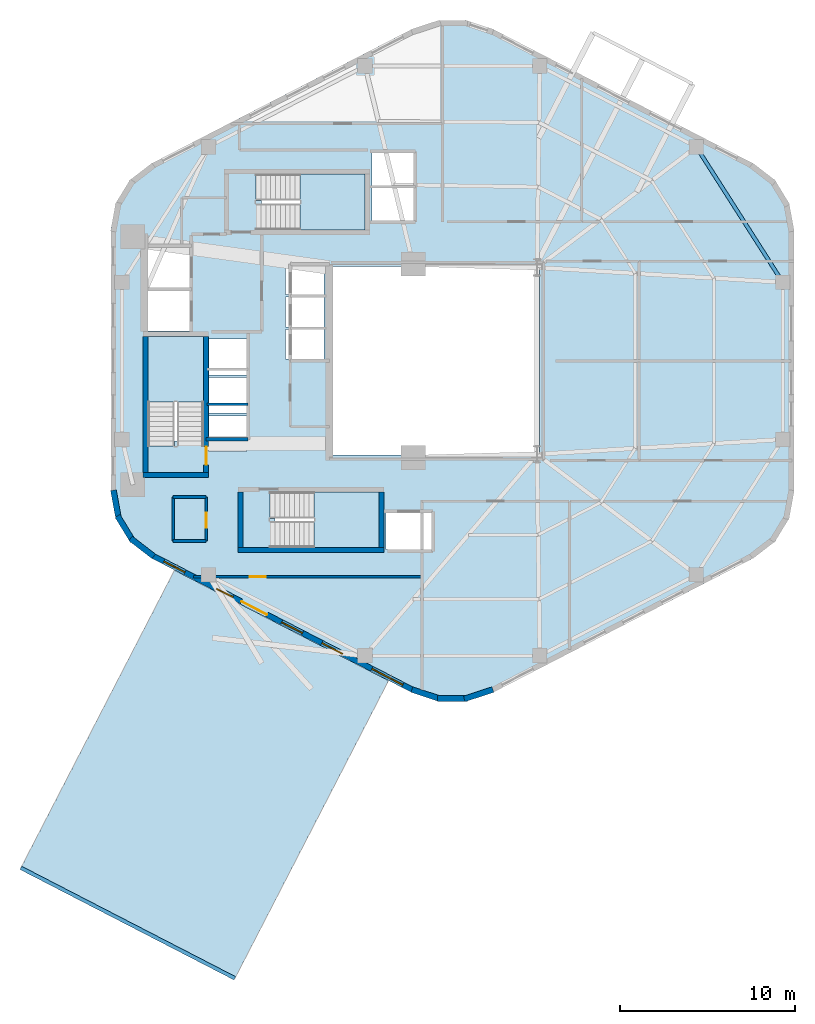
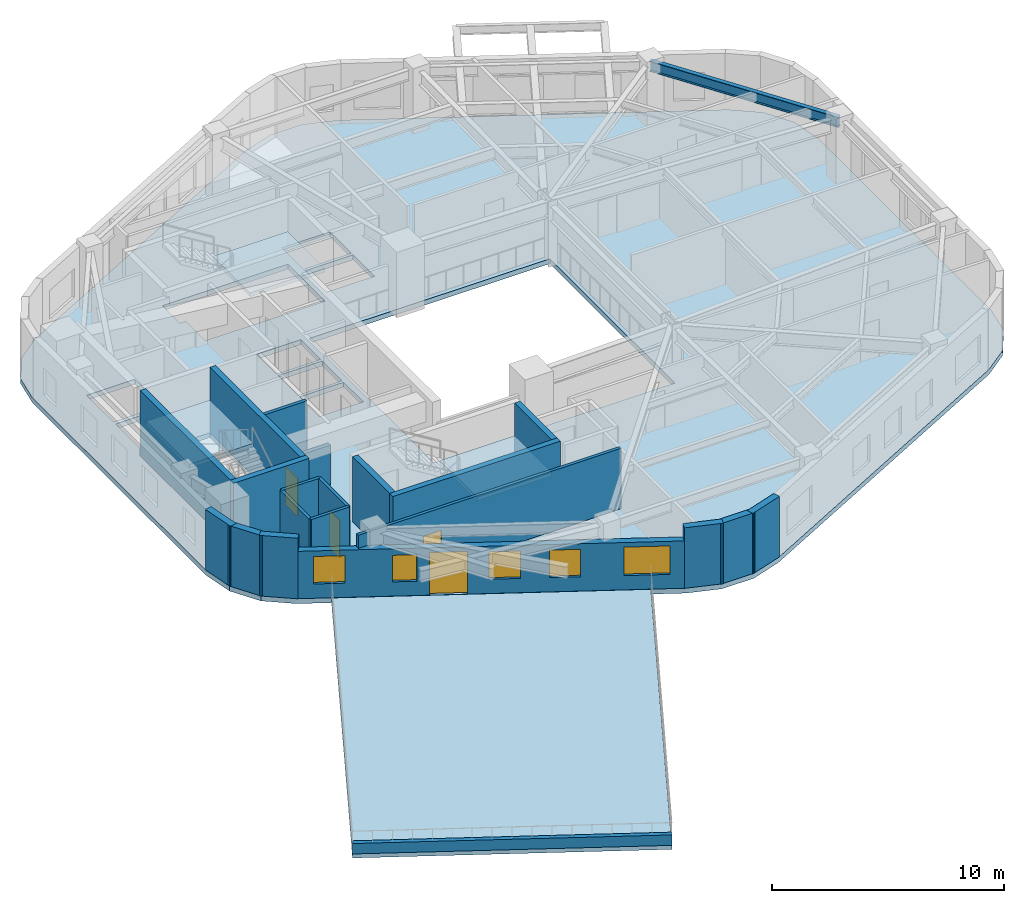
# One storey, part 2 of 7: 21 walls, 5 slabs, 5 windows, 4 doors, 1 beam, 9 openings, 4 elements without a shape of their own.
"""IFC4 building model written with IfcOpenShell, lengths in metres."""

from ifc_helpers import new_model, si_unit, direction, frame, frame_2d, origin, origin_2d, place, context, subcontext, project, spatial, polyline, rectangle, i_section, outline, extrude, material, layer, layer_set, material_profile, profile_set, type_object, element, fill, aggregate, save


model = new_model("IFC4")

# Units and contexts
model_context = context("Model", 3, precision=1e-05, world=origin(), true_north=direction((0.0, 1.0)))
body_context = subcontext(model_context, "Body", "Model", "MODEL_VIEW")
ifc_project = project(units=[si_unit("LENGTHUNIT", "METRE"), si_unit("AREAUNIT", "SQUARE_METRE"), si_unit("VOLUMEUNIT", "CUBIC_METRE"), si_unit("PLANEANGLEUNIT", "RADIAN"), si_unit("MASSUNIT", "GRAM", prefix="KILO"), si_unit("THERMODYNAMICTEMPERATUREUNIT", "KELVIN"), si_unit("POWERUNIT", "WATT")], contexts=[model_context])

# Site, building, storey
site_placement = place(None, origin())
site = spatial("IfcSite", under=ifc_project, at=site_placement, CompositionType="ELEMENT")
building_placement = place(site_placement, origin())
building = spatial("IfcBuilding", under=site, at=building_placement, Name="Skarre Station Tower", CompositionType="ELEMENT")
storey_placement = place(building_placement, frame((0.0, 0.0, 184.35009765625)))
storey = spatial("IfcBuildingStorey", under=building, at=storey_placement, Name="L50", CompositionType="ELEMENT", Elevation=184.35009765625)

# Beam
ifc_material_1 = material(Name="Steel ASTM A992 Grade 50", Category="steel")
ifc_material_profile = material_profile(ifc_material_1, i_section(OverallWidth=0.214111328125, OverallDepth=0.549072265625, WebThickness=0.014892578125, FlangeThickness=0.02392578125, at=origin_2d()), Name="Steel ASTM A992 Grade 50")
ifc_profile_set = profile_set([ifc_material_profile], Name="Steel ASTM A992 Grade 50")
beam_type = type_object("IfcBeamType", Name="Steel Spandrel W21X93", PredefinedType="SPANDREL", material=ifc_profile_set)
beam_placement = place(storey_placement, frame((53.52197265625, 28.5009765625, 2.916015625), z_axis=(-0.537826426158, 0.843055594445, 0.0), x_axis=(-0.843055594445, -0.537826426158, 0.0)))
element("IfcBeam", 1, at=beam_placement, inside=storey, type_object=beam_type, Name="L50 Facet Spandrel Beam 12", PredefinedType="SPANDREL", context=body_context, shape_type="SweptSolid", body=[
    extrude(i_section(OverallWidth=0.214111328125, OverallDepth=0.549072265625, WebThickness=0.014892578125, FlangeThickness=0.02392578125, at=origin_2d()), origin(), (0.0, 0.0, 1.0), 9.199951171875),
])

# Roof, slab
ifc_material_2 = material(Name="Precast concrete C40/50", Category="concrete")
ifc_layer_1 = layer(ifc_material_2, 0.320068359375, Name="Precast concrete C40/50")
ifc_layer_set_1 = layer_set([ifc_layer_1], Name="Precast concrete C40/50")
roof_type = type_object("IfcRoofType", Name="Insulated Standing-Seam & Inverted Ballasted Roof Assembly", PredefinedType="FLAT_ROOF", material=ifc_layer_set_1)
roof_placement = place(storey_placement, origin())
roof = element("IfcRoof", 2, at=roof_placement, inside=storey, type_object=roof_type, Name="L50 SB-4 Sky-Bar Roof Assembly", PredefinedType="FLAT_ROOF")
ifc_material_3 = material(Name="Concrete C50/60", Category="concrete")
ifc_layer_2 = layer(ifc_material_3, 0.284912109375, Name="Concrete C50/60")
ifc_layer_set_2 = layer_set([ifc_layer_2], Name="Concrete C50/60")
slab_type_1 = type_object("IfcSlabType", Name="Occupied Terrace Roof Deck Slab 285", PredefinedType="ROOF", material=ifc_layer_set_2)
slab_1_placement = place(storey_placement, frame((0.0, 0.0, -0.28515625)))
slab_1 = element("IfcSlab", 3, at=slab_1_placement, type_object=slab_type_1, Name="L50 SB-4 Sky-Bar Roof Terrace Deck", PredefinedType="ROOF", context=body_context, shape_type="SweptSolid", body=[
    extrude(outline(polyline([(30.94091796875, 5.677001953125), (18.677978515625, 12.006103515625), (9.876953125, -5.047119140625), (22.139892578125, -11.3759765625), (30.94091796875, 5.677001953125)])), origin(), (0.0, 0.0, 1.0), 0.28515625),
])
aggregate(roof, [slab_1])

# Stair, slab
ifc_material_4 = material(Name="Concrete C40/50", Category="concrete")
stair_type_1 = type_object("IfcStairType", Name="Reinforced Concrete Exit Stair ST-1", PredefinedType="HALF_TURN_STAIR", material=ifc_material_4)
stair_1_placement = place(storey_placement, origin())
stair_1 = element("IfcStair", 4, at=stair_1_placement, inside=storey, type_object=stair_type_1, Name="L50 Core Exit Stair ST-1", PredefinedType="HALF_TURN_STAIR")
ifc_layer_3 = layer(ifc_material_4, 0.219970703125, Name="Concrete C40/50")
ifc_layer_set_3 = layer_set([ifc_layer_3], Name="Concrete C40/50")
slab_type_2 = type_object("IfcSlabType", Name="Reinforced Concrete Stair & Ramp Landing 220", PredefinedType="LANDING", material=ifc_layer_set_3)
slab_2_placement = place(storey_placement, frame((0.0, 0.0, 1.52490234375)))
slab_2 = element("IfcSlab", 5, at=slab_2_placement, type_object=slab_type_2, Name="ST-1 landing 1", PredefinedType="LANDING", context=body_context, shape_type="SweptSolid", body=[
    extrude(outline(polyline([(20.35009765625, 21.639892578125), (20.35009765625, 25.39990234375), (17.14990234375, 25.39990234375), (17.14990234375, 21.639892578125), (20.35009765625, 21.639892578125)])), origin(), (0.0, 0.0, 1.0), 0.199951171875),
])
aggregate(stair_1, [slab_2])

stair_type_2 = type_object("IfcStairType", Name="Reinforced Concrete Exit Stair ST-2", PredefinedType="HALF_TURN_STAIR", material=ifc_material_4)
stair_2_placement = place(storey_placement, origin())
stair_2 = element("IfcStair", 6, at=stair_2_placement, inside=storey, type_object=stair_type_2, Name="L50 Core Exit Stair ST-2", PredefinedType="HALF_TURN_STAIR")
slab_3_placement = place(storey_placement, frame((0.0, 0.0, 1.52490234375)))
slab_3 = element("IfcSlab", 7, at=slab_3_placement, type_object=slab_type_2, Name="ST-2 landing 1", PredefinedType="LANDING", context=body_context, shape_type="SweptSolid", body=[
    extrude(outline(polyline([(26.669921875, 13.300048828125), (30.39990234375, 13.300048828125), (30.39990234375, 16.5), (26.669921875, 16.5), (26.669921875, 13.300048828125)])), origin(), (0.0, 0.0, 1.0), 0.199951171875),
])
aggregate(stair_2, [slab_3])

stair_type_3 = type_object("IfcStairType", Name="Reinforced Concrete Exit Stair ST-3", PredefinedType="HALF_TURN_STAIR", material=ifc_material_4)
stair_3_placement = place(storey_placement, origin())
stair_3 = element("IfcStair", 8, at=stair_3_placement, inside=storey, type_object=stair_type_3, Name="L50 Core Exit Stair ST-3", PredefinedType="HALF_TURN_STAIR")
slab_4_placement = place(storey_placement, frame((0.0, 0.0, 1.52490234375)))
slab_4 = element("IfcSlab", 9, at=slab_4_placement, type_object=slab_type_2, Name="ST-3 landing 1", PredefinedType="LANDING", context=body_context, shape_type="SweptSolid", body=[
    extrude(outline(polyline([(25.8701171875, 31.5), (29.60009765625, 31.5), (29.60009765625, 34.699951171875), (25.8701171875, 34.699951171875), (25.8701171875, 31.5)])), origin(), (0.0, 0.0, 1.0), 0.199951171875),
])
aggregate(stair_3, [slab_4])

# Slab
ifc_layer_4 = layer(ifc_material_3, 0.260009765625, Name="Concrete C50/60")
ifc_layer_set_4 = layer_set([ifc_layer_4], Name="Concrete C50/60")
slab_type_3 = type_object("IfcSlabType", Name="Tower Typical Composite Floor Slab 260", PredefinedType="FLOOR", material=ifc_layer_set_4)
slab_5_placement = place(storey_placement, frame((0.0, 0.0, -0.260009765625)))
element("IfcSlab", 10, at=slab_5_placement, inside=storey, type_object=slab_type_3, Name="L50 Zone 3 Structural Floor Slab", PredefinedType="FLOOR", context=body_context, shape_type="SweptSolid", body=[
    extrude(outline(polyline([(54.172119140625, 31.501953125), (53.89208984375, 33.02294921875), (53.0869140625, 34.344970703125), (51.863037109375, 35.291015625), (36.908935546875, 43.009033203125), (35.39599609375, 43.506103515625), (33.803955078125, 43.506103515625), (32.291015625, 43.009033203125), (17.3369140625, 35.291015625), (16.113037109375, 34.344970703125), (15.30810546875, 33.02294921875), (15.028076171875, 31.501953125), (15.028076171875, 16.498046875), (15.30810546875, 14.97705078125), (16.113037109375, 13.655029296875), (17.3369140625, 12.708984375), (32.291015625, 4.990966796875), (33.803955078125, 4.493896484375), (35.39599609375, 4.493896484375), (36.908935546875, 4.990966796875), (51.863037109375, 12.708984375), (53.0869140625, 13.655029296875), (53.89208984375, 14.97705078125), (54.172119140625, 16.498046875), (54.172119140625, 31.501953125)]), holes=[polyline([(18.669921875, 19.419921875), (18.669921875, 19.123046875), (17.14990234375, 19.123046875), (17.14990234375, 25.39990234375), (20.35009765625, 25.39990234375), (20.35009765625, 19.419921875), (18.669921875, 19.419921875)]), polyline([(24.449951171875, 14.97998046875), (24.153076171875, 14.97998046875), (24.153076171875, 16.5), (30.39990234375, 16.5), (30.39990234375, 13.300048828125), (24.449951171875, 13.300048828125), (24.449951171875, 14.97998046875)]), polyline([(23.64990234375, 33.179931640625), (23.35302734375, 33.179931640625), (23.35302734375, 34.699951171875), (29.60009765625, 34.699951171875), (29.60009765625, 31.5), (23.64990234375, 31.5), (23.64990234375, 33.179931640625)]), polyline([(17.14990234375, 28.0), (19.550048828125, 28.0), (19.550048828125, 25.699951171875), (17.14990234375, 25.699951171875), (17.14990234375, 28.0)]), polyline([(17.14990234375, 30.5), (19.550048828125, 30.5), (19.550048828125, 28.199951171875), (17.14990234375, 28.199951171875), (17.14990234375, 30.5)]), polyline([(30.800048828125, 15.300048828125), (33.39990234375, 15.300048828125), (33.39990234375, 13.199951171875), (30.800048828125, 13.199951171875), (30.800048828125, 15.300048828125)]), polyline([(25.050048828125, 25.800048828125), (27.25, 25.800048828125), (27.25, 24.10009765625), (25.050048828125, 24.10009765625), (25.050048828125, 25.800048828125)]), polyline([(25.050048828125, 27.64990234375), (27.25, 27.64990234375), (27.25, 25.949951171875), (25.050048828125, 25.949951171875), (25.050048828125, 27.64990234375)]), polyline([(25.050048828125, 29.5), (27.25, 29.5), (27.25, 27.800048828125), (25.050048828125, 27.800048828125), (25.050048828125, 29.5)]), polyline([(20.64990234375, 20.85009765625), (22.800048828125, 20.85009765625), (22.800048828125, 18.800048828125), (20.64990234375, 18.800048828125), (20.64990234375, 20.85009765625)]), polyline([(20.64990234375, 23.050048828125), (22.800048828125, 23.050048828125), (22.800048828125, 21.0), (20.64990234375, 21.0), (20.64990234375, 23.050048828125)]), polyline([(20.64990234375, 25.25), (22.800048828125, 25.25), (22.800048828125, 23.199951171875), (20.64990234375, 23.199951171875), (20.64990234375, 25.25)]), polyline([(30.0, 33.89990234375), (32.39990234375, 33.89990234375), (32.39990234375, 32.050048828125), (30.0, 32.050048828125), (30.0, 33.89990234375)]), polyline([(30.0, 35.89990234375), (32.39990234375, 35.89990234375), (32.39990234375, 34.050048828125), (30.0, 34.050048828125), (30.0, 35.89990234375)]), polyline([(27.60009765625, 29.39990234375), (39.60009765625, 29.39990234375), (39.60009765625, 18.60009765625), (27.60009765625, 18.60009765625), (27.60009765625, 29.39990234375)])]), origin(), (0.0, 0.0, 1.0), 0.260009765625),
])

# Walls
ifc_material_5 = material(Name="Acoustic Steel-Stud Gypsum Partition", Category="steel")
ifc_layer_5 = layer(ifc_material_5, 0.14990234375, Name="Acoustic Steel-Stud Gypsum Partition")
ifc_layer_set_5 = layer_set([ifc_layer_5], Name="Acoustic Steel-Stud Gypsum Partition")
wall_type_1 = type_object("IfcWallType", Name="Fire-Rated Corridor Acoustic Partition 150", PredefinedType="PARTITIONING", material=ifc_layer_set_5)
wall_1_placement = place(storey_placement, frame((18.60009765625, 16.199951171875, 0.0), z_axis=(0.0, 0.0, 1.0), x_axis=(0.0, -1.0, 0.0)))
element("IfcWall", 11, at=wall_1_placement, inside=storey, type_object=wall_type_1, Name="L50 Interior Partition WL-PT-L50-CSVC-W", PredefinedType="PARTITIONING", context=body_context, shape_type="SweptSolid", body=[
    extrude(rectangle(XDim=2.52001953125, YDim=0.14990234375, at=frame_2d((1.260009765625, 0.0))), origin(), (0.0, 0.0, 1.0), 3.18994140625),
])
for number, where, z_axis, x_axis, name in (
    (12, (18.60009765625, 13.679931640625, 0.0), (0.0, 0.0, 1.0), (1.0, 0.0, 0.0), "L50 Interior Partition WL-PT-L50-CSVC-S"),
    (13, (18.60009765625, 16.199951171875, 0.0), (0.0, 0.0, 1.0), (1.0, 0.0, 0.0), "L50 Interior Partition WL-PT-L50-CSVC-N"),
):
    element("IfcWall", number, at=place(storey_placement, frame(where, z_axis=z_axis, x_axis=x_axis)), inside=storey, type_object=wall_type_1, Name=name, PredefinedType="PARTITIONING", context=body_context, shape_type="SweptSolid", body=[
        extrude(rectangle(XDim=1.889892578125, YDim=0.14990234375, at=frame_2d((0.94482421875, 0.0))), origin(), (0.0, 0.0, 1.0), 3.18994140625),
    ])

# Wall, opening, door
wall_2_placement = place(storey_placement, frame((20.489990234375, 13.679931640625, 0.0), z_axis=(0.0, 0.0, 1.0), x_axis=(0.0, 1.0, 0.0)))
wall_2 = element("IfcWall", 14, at=wall_2_placement, inside=storey, type_object=wall_type_1, Name="L50 Interior Partition WL-PT-L50-CSVC-E", PredefinedType="PARTITIONING", context=body_context, shape_type="SweptSolid", body=[
    extrude(rectangle(XDim=2.52001953125, YDim=0.14990234375, at=frame_2d((1.260009765625, 0.0))), origin(), (0.0, 0.0, 1.0), 3.18994140625),
])
opening_1_placement = place(wall_2_placement, frame((0.75, 0.0, 0.0)))
opening_1 = element("IfcOpeningElement", 15, at=opening_1_placement, cuts=wall_2, Name="Opening DR-SVC86", PredefinedType="OPENING", context=body_context, shape_type="SweptSolid", body=[
    extrude(rectangle(XDim=0.860107421875, YDim=2.0, at=frame_2d((0.43017578125, 1.0))), frame((0.0, 0.0849609375, 0.0), z_axis=(0.0, -1.0, 0.0), x_axis=(1.0, 0.0, 0.0)), (0.0, 0.0, 1.0), 0.169921875),
])
ifc_material_6 = material(Name="Powder-Coated Hollow-Metal Acoustic Fire Leaf", Category="steel")
door_type_1 = type_object("IfcDoorType", Name="Compact Riser Fire Door FD60 860x2100", OperationType="SINGLE_SWING_LEFT", PredefinedType="DOOR", material=ifc_material_6)
door_1_placement = place(opening_1_placement, origin())
door_1 = element("IfcDoor", 16, at=door_1_placement, inside=storey, type_object=door_type_1, Name="L50 Supply Room Door", OperationType="SINGLE_SWING_LEFT", OverallHeight=2.0, OverallWidth=0.860107421875, PredefinedType="DOOR", context=body_context, shape_type="SweptSolid", body=[
    extrude(rectangle(XDim=0.860107421875, YDim=2.0, at=frame_2d((0.43017578125, 1.0))), frame((0.0, 0.02490234375, 0.0), z_axis=(0.0, -1.0, 0.0), x_axis=(1.0, 0.0, 0.0)), (0.0, 0.0, 1.0), 0.050048828125),
])
fill(opening_1, door_1)

wall_3_placement = place(storey_placement, frame((19.757080078125, 11.639892578125, 0.0), z_axis=(0.0, 0.0, 1.0), x_axis=(1.0, 0.0, 0.0)))
wall_3 = element("IfcWall", 17, at=wall_3_placement, inside=storey, type_object=wall_type_1, Name="L50 Interior Partition WL-PT-L50-SWP-N", PredefinedType="PARTITIONING", context=body_context, shape_type="SweptSolid", body=[
    extrude(rectangle(XDim=13.093017578125, YDim=0.14990234375, at=frame_2d((6.54638671875, 0.0))), origin(), (0.0, 0.0, 1.0), 3.18994140625),
])
opening_2_placement = place(wall_3_placement, frame((3.242919921875, 0.0, 0.0)))
opening_2 = element("IfcOpeningElement", 18, at=opening_2_placement, cuts=wall_3, Name="Opening DR-SVC90", PredefinedType="OPENING", context=body_context, shape_type="SweptSolid", body=[
    extrude(rectangle(XDim=0.89990234375, YDim=2.0, at=frame_2d((0.449951171875, 1.0))), frame((0.0, 0.0849609375, 0.0), z_axis=(0.0, -1.0, 0.0), x_axis=(1.0, 0.0, 0.0)), (0.0, 0.0, 1.0), 0.169921875),
])
door_type_2 = type_object("IfcDoorType", Name="Service & Riser Fire Door FD60 900x2100", OperationType="SINGLE_SWING_LEFT", PredefinedType="DOOR", material=ifc_material_6)
door_2_placement = place(opening_2_placement, origin())
door_2 = element("IfcDoor", 19, at=door_2_placement, inside=storey, type_object=door_type_2, Name="L50 Floor Public Toilets Door", OperationType="SINGLE_SWING_LEFT", OverallHeight=2.0, OverallWidth=0.89990234375, PredefinedType="DOOR", context=body_context, shape_type="SweptSolid", body=[
    extrude(rectangle(XDim=0.89990234375, YDim=2.0, at=frame_2d((0.449951171875, 1.0))), frame((0.0, 0.02490234375, 0.0), z_axis=(0.0, -1.0, 0.0), x_axis=(1.0, 0.0, 0.0)), (0.0, 0.0, 1.0), 0.050048828125),
])
fill(opening_2, door_2)

# Walls
ifc_material_7 = material(Name="Precast concrete C45/55", Category="concrete")
ifc_layer_6 = layer(ifc_material_7, 0.330078125, Name="Precast concrete C45/55")
ifc_layer_set_6 = layer_set([ifc_layer_6], Name="Precast concrete C45/55")
wall_type_2 = type_object("IfcWallType", Name="Nordic Rounded Corner Precast Wall 330", PredefinedType="STANDARD", material=ifc_layer_set_6)
wall_4_placement = place(storey_placement, frame((17.489013671875, 12.800048828125, 0.0), z_axis=(0.0, 0.0, 1.0), x_axis=(-0.791409877269, 0.611285862884, 0.0)))
element("IfcWall", 20, at=wall_4_placement, inside=storey, type_object=wall_type_2, Name="L50 Rounded Corner Precast Wall F3-1", PredefinedType="STANDARD", context=body_context, shape_type="SweptSolid", body=[
    extrude(rectangle(XDim=1.676513671875, YDim=0.330078125, at=frame_2d((0.83837890625, 0.0))), origin(), (0.0, 0.0, 1.0), 3.18994140625),
])
wall_5_placement = place(storey_placement, frame((16.2880859375, 13.68505859375, 0.0), z_axis=(0.0, 0.0, 1.0), x_axis=(-0.520325409202, 0.853968072318, 0.0)))
element("IfcWall", 21, at=wall_5_placement, inside=storey, type_object=wall_type_2, Name="L50 Rounded Corner Precast Wall F3-2", PredefinedType="STANDARD", context=body_context, shape_type="SweptSolid", body=[
    extrude(rectangle(XDim=1.677978515625, YDim=0.330078125, at=frame_2d((0.8388671875, 0.0))), origin(), (0.0, 0.0, 1.0), 3.18994140625),
])
wall_6_placement = place(storey_placement, frame((15.48193359375, 14.943115234375, 0.0), z_axis=(0.0, 0.0, 1.0), x_axis=(-0.180717642671, 0.983535019014, 0.0)))
element("IfcWall", 22, at=wall_6_placement, inside=storey, type_object=wall_type_2, Name="L50 Rounded Corner Precast Wall F3-3", PredefinedType="STANDARD", context=body_context, shape_type="SweptSolid", body=[
    extrude(rectangle(XDim=1.676513671875, YDim=0.330078125, at=frame_2d((0.83837890625, 0.0))), origin(), (0.0, 0.0, 1.0), 3.18994140625),
])
wall_7_placement = place(storey_placement, frame((36.9189453125, 5.16796875, 0.0), z_axis=(0.0, 0.0, 1.0), x_axis=(-0.949937416267, -0.312440242569, 0.0)))
element("IfcWall", 23, at=wall_7_placement, inside=storey, type_object=wall_type_2, Name="L50 Rounded Corner Precast Wall F4-1", PredefinedType="STANDARD", context=body_context, shape_type="SweptSolid", body=[
    extrude(rectangle(XDim=1.72216796875, YDim=0.330078125, at=frame_2d((0.861083984375, 0.0))), origin(), (0.0, 0.0, 1.0), 3.18994140625),
])
wall_8_placement = place(storey_placement, frame((35.4609375, 4.658935546875, 0.0), z_axis=(0.0, 0.0, 1.0), x_axis=(-1.0, 0.0, 0.0)))
element("IfcWall", 24, at=wall_8_placement, inside=storey, type_object=wall_type_2, Name="L50 Rounded Corner Precast Wall F4-2", PredefinedType="STANDARD", context=body_context, shape_type="SweptSolid", body=[
    extrude(rectangle(XDim=1.721923828125, YDim=0.330078125, at=frame_2d((0.86083984375, 0.0))), origin(), (0.0, 0.0, 1.0), 3.18994140625),
])
wall_9_placement = place(storey_placement, frame((33.9169921875, 4.6298828125, 0.0), z_axis=(0.0, 0.0, 1.0), x_axis=(-0.949937416267, 0.312440242569, 0.0)))
element("IfcWall", 25, at=wall_9_placement, inside=storey, type_object=wall_type_2, Name="L50 Rounded Corner Precast Wall F4-3", PredefinedType="STANDARD", context=body_context, shape_type="SweptSolid", body=[
    extrude(rectangle(XDim=1.72216796875, YDim=0.330078125, at=frame_2d((0.861083984375, 0.0))), origin(), (0.0, 0.0, 1.0), 3.18994140625),
])

# Wall, openings, windows, door
ifc_layer_7 = layer(ifc_material_7, 0.31005859375, Name="Precast concrete C45/55")
ifc_layer_set_7 = layer_set([ifc_layer_7], Name="Precast concrete C45/55")
wall_type_3 = type_object("IfcWallType", Name="Nordic Upper-Zone Precast Facet Wall 310", PredefinedType="STANDARD", material=ifc_layer_set_7)
wall_10_placement = place(storey_placement, frame((32.362060546875, 5.12890625, 0.0), z_axis=(0.0, 0.0, 1.0), x_axis=(-0.888626188278, 0.458632202867, 0.0)))
wall_10 = element("IfcWall", 26, at=wall_10_placement, inside=storey, type_object=wall_type_3, Name="L50 Facet 3 Nordic Precast Masonry Wall", PredefinedType="STANDARD", context=body_context, shape_type="SweptSolid", body=[
    extrude(rectangle(XDim=16.828369140625, YDim=0.31005859375, at=frame_2d((8.4140625, 0.0))), origin(), (0.0, 0.0, 1.0), 2.493896484375),
])
opening_3_placement = place(wall_10_placement, frame((9.43896484375, 0.0, 0.0)))
opening_3 = element("IfcOpeningElement", 27, at=opening_3_placement, cuts=wall_10, Name="Opening DR-SGD165", PredefinedType="OPENING", context=body_context, shape_type="SweptSolid", body=[
    extrude(rectangle(XDim=1.64990234375, YDim=2.25, at=frame_2d((0.824951171875, 1.125))), frame((0.0, 0.1650390625, 0.0), z_axis=(0.0, -1.0, 0.0), x_axis=(1.0, 0.0, 0.0)), (0.0, 0.0, 1.0), 0.330078125),
])
opening_4_placement = place(wall_10_placement, frame((0.675048828125, 0.0, 0.75)))
opening_4 = element("IfcOpeningElement", 28, at=opening_4_placement, cuts=wall_10, Name="Opening WN-Z3A", PredefinedType="OPENING", context=body_context, shape_type="SweptSolid", body=[
    extrude(rectangle(XDim=2.0, YDim=1.5, at=frame_2d((1.0, 0.75))), frame((0.0, 0.1650390625, 0.0), z_axis=(0.0, -1.0, 0.0), x_axis=(1.0, 0.0, 0.0)), (0.0, 0.0, 1.0), 0.330078125),
])
opening_5_placement = place(wall_10_placement, frame((4.552978515625, 0.0, 0.75)))
opening_5 = element("IfcOpeningElement", 29, at=opening_5_placement, cuts=wall_10, Name="Opening WN-Z3B", PredefinedType="OPENING", context=body_context, shape_type="SweptSolid", body=[
    extrude(rectangle(XDim=1.35009765625, YDim=1.449951171875, at=frame_2d((0.675048828125, 0.72509765625))), frame((0.0, 0.1650390625, 0.0), z_axis=(0.0, -1.0, 0.0), x_axis=(1.0, 0.0, 0.0)), (0.0, 0.0, 1.0), 0.330078125),
])
opening_6_placement = place(wall_10_placement, frame((7.14697265625, 0.0, 0.75)))
opening_6 = element("IfcOpeningElement", 30, at=opening_6_placement, cuts=wall_10, Name="Opening WN-Z3B", PredefinedType="OPENING", context=body_context, shape_type="SweptSolid", body=[
    extrude(rectangle(XDim=1.35009765625, YDim=1.449951171875, at=frame_2d((0.675048828125, 0.72509765625))), frame((0.0, 0.1650390625, 0.0), z_axis=(0.0, -1.0, 0.0), x_axis=(1.0, 0.0, 0.0)), (0.0, 0.0, 1.0), 0.330078125),
])
opening_7_placement = place(wall_10_placement, frame((11.6279296875, 0.0, 0.75)))
opening_7 = element("IfcOpeningElement", 31, at=opening_7_placement, cuts=wall_10, Name="Opening WN-SLT", PredefinedType="OPENING", context=body_context, shape_type="SweptSolid", body=[
    extrude(rectangle(XDim=1.050048828125, YDim=1.39990234375, at=frame_2d((0.52490234375, 0.699951171875))), frame((0.0, 0.1650390625, 0.0), z_axis=(0.0, -1.0, 0.0), x_axis=(1.0, 0.0, 0.0)), (0.0, 0.0, 1.0), 0.330078125),
])
opening_8_placement = place(wall_10_placement, frame((14.735107421875, 0.0, 0.75)))
opening_8 = element("IfcOpeningElement", 32, at=opening_8_placement, cuts=wall_10, Name="Opening WN-Z3B", PredefinedType="OPENING", context=body_context, shape_type="SweptSolid", body=[
    extrude(rectangle(XDim=1.35009765625, YDim=1.449951171875, at=frame_2d((0.675048828125, 0.72509765625))), frame((0.0, 0.1650390625, 0.0), z_axis=(0.0, -1.0, 0.0), x_axis=(1.0, 0.0, 0.0)), (0.0, 0.0, 1.0), 0.330078125),
])
ifc_material_8 = material(Name="Low-Iron Triple Glazing with Bronze Anodized Frame", Category="glass")
window_type_1 = type_object("IfcWindowType", Name="Nordic Corner Slot Window 1050x1400", PartitioningType="SINGLE_PANEL", PredefinedType="WINDOW", material=ifc_material_8)
window_1_placement = place(opening_7_placement, origin())
window_1 = element("IfcWindow", 33, at=window_1_placement, inside=storey, type_object=window_type_1, Name="L50 Facade Window WL-FAC-L50-F3-4", OverallHeight=1.39990234375, OverallWidth=1.050048828125, PartitioningType="SINGLE_PANEL", PredefinedType="WINDOW", context=body_context, shape_type="SweptSolid", body=[
    extrude(rectangle(XDim=1.050048828125, YDim=1.39990234375, at=frame_2d((0.52490234375, 0.699951171875))), frame((0.0, 0.030029296875, 0.0), z_axis=(0.0, -1.0, 0.0), x_axis=(1.0, 0.0, 0.0)), (0.0, 0.0, 1.0), 0.06005859375),
])
fill(opening_7, window_1)
window_type_2 = type_object("IfcWindowType", Name="Nordic Hospitality Narrow Window 1350x1450", PartitioningType="SINGLE_PANEL", PredefinedType="WINDOW", material=ifc_material_8)
window_2_placement = place(opening_5_placement, origin())
window_2 = element("IfcWindow", 34, at=window_2_placement, inside=storey, type_object=window_type_2, Name="L50 Facade Window WL-FAC-L50-F3-2", OverallHeight=1.449951171875, OverallWidth=1.35009765625, PartitioningType="SINGLE_PANEL", PredefinedType="WINDOW", context=body_context, shape_type="SweptSolid", body=[
    extrude(rectangle(XDim=1.35009765625, YDim=1.449951171875, at=frame_2d((0.675048828125, 0.72509765625))), frame((0.0, 0.030029296875, 0.0), z_axis=(0.0, -1.0, 0.0), x_axis=(1.0, 0.0, 0.0)), (0.0, 0.0, 1.0), 0.06005859375),
])
fill(opening_5, window_2)
window_3_placement = place(opening_6_placement, origin())
window_3 = element("IfcWindow", 35, at=window_3_placement, inside=storey, type_object=window_type_2, Name="L50 Facade Window WL-FAC-L50-F3-3", OverallHeight=1.449951171875, OverallWidth=1.35009765625, PartitioningType="SINGLE_PANEL", PredefinedType="WINDOW", context=body_context, shape_type="SweptSolid", body=[
    extrude(rectangle(XDim=1.35009765625, YDim=1.449951171875, at=frame_2d((0.675048828125, 0.72509765625))), frame((0.0, 0.030029296875, 0.0), z_axis=(0.0, -1.0, 0.0), x_axis=(1.0, 0.0, 0.0)), (0.0, 0.0, 1.0), 0.06005859375),
])
fill(opening_6, window_3)
window_4_placement = place(opening_8_placement, origin())
window_4 = element("IfcWindow", 36, at=window_4_placement, inside=storey, type_object=window_type_2, Name="L50 Facade Window WL-FAC-L50-F3-5", OverallHeight=1.449951171875, OverallWidth=1.35009765625, PartitioningType="SINGLE_PANEL", PredefinedType="WINDOW", context=body_context, shape_type="SweptSolid", body=[
    extrude(rectangle(XDim=1.35009765625, YDim=1.449951171875, at=frame_2d((0.675048828125, 0.72509765625))), frame((0.0, 0.030029296875, 0.0), z_axis=(0.0, -1.0, 0.0), x_axis=(1.0, 0.0, 0.0)), (0.0, 0.0, 1.0), 0.06005859375),
])
fill(opening_8, window_4)
window_type_3 = type_object("IfcWindowType", Name="Nordic Hospitality Window 2000x1500", PartitioningType="SINGLE_PANEL", PredefinedType="WINDOW", material=ifc_material_8)
window_5_placement = place(opening_4_placement, origin())
window_5 = element("IfcWindow", 37, at=window_5_placement, inside=storey, type_object=window_type_3, Name="L50 Facade Window WL-FAC-L50-F3-1", OverallHeight=1.5, OverallWidth=2.0, PartitioningType="SINGLE_PANEL", PredefinedType="WINDOW", context=body_context, shape_type="SweptSolid", body=[
    extrude(rectangle(XDim=2.0, YDim=1.5, at=frame_2d((1.0, 0.75))), frame((0.0, 0.030029296875, 0.0), z_axis=(0.0, -1.0, 0.0), x_axis=(1.0, 0.0, 0.0)), (0.0, 0.0, 1.0), 0.06005859375),
])
fill(opening_4, window_5)
ifc_material_9 = material(Name="Thermally Broken Aluminium & Triple Glazing", Category="aluminium")
door_type_3 = type_object("IfcDoorType", Name="Sky-Garden Double Glazed Terrace Door 1650x2250", OperationType="DOUBLE_DOOR_SINGLE_SWING", PredefinedType="DOOR", material=ifc_material_9)
door_3_placement = place(opening_3_placement, origin())
door_3 = element("IfcDoor", 38, at=door_3_placement, inside=storey, type_object=door_type_3, Name="L50 SB-4 Roof Terrace Access Door", OperationType="SINGLE_SWING_LEFT", OverallHeight=2.25, OverallWidth=1.64990234375, PredefinedType="DOOR", context=body_context, shape_type="SweptSolid", body=[
    extrude(rectangle(XDim=1.64990234375, YDim=2.25, at=frame_2d((0.824951171875, 1.125))), frame((0.0, 0.02490234375, 0.0), z_axis=(0.0, -1.0, 0.0), x_axis=(1.0, 0.0, 0.0)), (0.0, 0.0, 1.0), 0.050048828125),
])
fill(opening_3, door_3)

# Walls
ifc_layer_8 = layer(ifc_material_3, 0.280029296875, Name="Concrete C50/60")
ifc_layer_set_8 = layer_set([ifc_layer_8], Name="Concrete C50/60")
wall_type_4 = type_object("IfcWallType", Name="RC Core Shear Wall 280", PredefinedType="SHEAR", material=ifc_layer_set_8)
wall_11_placement = place(storey_placement, frame((16.8701171875, 17.4599609375, 0.0), z_axis=(0.0, 0.0, 1.0), x_axis=(1.0, 0.0, 0.0)))
element("IfcWall", 39, at=wall_11_placement, inside=storey, type_object=wall_type_4, Name="L50 Stair ST-1 South Shear Wall", PredefinedType="SHEAR", context=body_context, shape_type="SweptSolid", body=[
    extrude(rectangle(XDim=3.759765625, YDim=0.280029296875, at=frame_2d((1.8798828125, 0.0))), origin(), (0.0, 0.0, 1.0), 3.449951171875),
])
wall_12_placement = place(storey_placement, frame((17.010009765625, 25.39990234375, 0.0), z_axis=(0.0, 0.0, 1.0), x_axis=(0.0, -1.0, 0.0)))
element("IfcWall", 40, at=wall_12_placement, inside=storey, type_object=wall_type_4, Name="L50 Stair ST-1 West Shear Wall", PredefinedType="SHEAR", context=body_context, shape_type="SweptSolid", body=[
    extrude(rectangle(XDim=7.7998046875, YDim=0.280029296875, at=frame_2d((3.89990234375, 0.0))), origin(), (0.0, 0.0, 1.0), 3.449951171875),
])

# Wall, opening, door
wall_13_placement = place(storey_placement, frame((20.489990234375, 17.60009765625, 0.0), z_axis=(0.0, 0.0, 1.0), x_axis=(0.0, 1.0, 0.0)))
wall_13 = element("IfcWall", 41, at=wall_13_placement, inside=storey, type_object=wall_type_4, Name="L50 Stair ST-1 East Shear Wall", PredefinedType="SHEAR", context=body_context, shape_type="SweptSolid", body=[
    extrude(rectangle(XDim=7.7998046875, YDim=0.280029296875, at=frame_2d((3.89990234375, 0.0))), origin(), (0.0, 0.0, 1.0), 3.449951171875),
])
opening_9_placement = place(wall_13_placement, frame((0.43994140625, 0.0, 0.0)))
opening_9 = element("IfcOpeningElement", 42, at=opening_9_placement, cuts=wall_13, Name="Opening DR-FD90", PredefinedType="OPENING", context=body_context, shape_type="SweptSolid", body=[
    extrude(rectangle(XDim=1.050048828125, YDim=2.0, at=frame_2d((0.52490234375, 1.0))), frame((0.0, 0.14990234375, 0.0), z_axis=(0.0, -1.0, 0.0), x_axis=(1.0, 0.0, 0.0)), (0.0, 0.0, 1.0), 0.300048828125),
])
ifc_material_10 = material(Name="Fire-Rated Insulated Steel Frame & Timber Core Leaf", Category="steel")
door_type_4 = type_object("IfcDoorType", Name="Stair & FSAE Lobby Fire Door FD90 1050x2150", OperationType="SINGLE_SWING_RIGHT", PredefinedType="DOOR", material=ifc_material_10)
door_4_placement = place(opening_9_placement, origin())
door_4 = element("IfcDoor", 43, at=door_4_placement, inside=storey, type_object=door_type_4, Name="L50 Stair ST-1 Exit Door", OperationType="SINGLE_SWING_RIGHT", OverallHeight=2.0, OverallWidth=1.050048828125, PredefinedType="DOOR", context=body_context, shape_type="SweptSolid", body=[
    extrude(rectangle(XDim=1.050048828125, YDim=2.0, at=frame_2d((0.52490234375, 1.0))), frame((0.0, 0.02490234375, 0.0), z_axis=(0.0, -1.0, 0.0), x_axis=(1.0, 0.0, 0.0)), (0.0, 0.0, 1.0), 0.050048828125),
])
fill(opening_9, door_4)

# Walls
wall_14_placement = place(storey_placement, frame((22.320068359375, 13.159912109375, 0.0), z_axis=(0.0, 0.0, 1.0), x_axis=(1.0, 0.0, 0.0)))
element("IfcWall", 44, at=wall_14_placement, inside=storey, type_object=wall_type_4, Name="L50 Stair ST-2 South Shear Wall", PredefinedType="SHEAR", context=body_context, shape_type="SweptSolid", body=[
    extrude(rectangle(XDim=8.35986328125, YDim=0.280029296875, at=frame_2d((4.179931640625, 0.0))), origin(), (0.0, 0.0, 1.0), 3.449951171875),
])
for number, where, z_axis, x_axis, name in (
    (45, (22.4599609375, 16.5, 0.0), (0.0, 0.0, 1.0), (0.0, -1.0, 0.0), "L50 Stair ST-2 West Shear Wall"),
    (46, (30.5400390625, 13.300048828125, 0.0), (0.0, 0.0, 1.0), (0.0, 1.0, 0.0), "L50 Stair ST-2 East Shear Wall"),
):
    element("IfcWall", number, at=place(storey_placement, frame(where, z_axis=z_axis, x_axis=x_axis)), inside=storey, type_object=wall_type_4, Name=name, PredefinedType="SHEAR", context=body_context, shape_type="SweptSolid", body=[
        extrude(rectangle(XDim=3.199951171875, YDim=0.280029296875, at=frame_2d((1.60009765625, 0.0))), origin(), (0.0, 0.0, 1.0), 3.449951171875),
    ])
ifc_material_11 = material(Name="Gypsum Concrete Shaft Assembly C30/37", Category="concrete")
ifc_layer_9 = layer(ifc_material_11, 0.199951171875, Name="Gypsum Concrete Shaft Assembly C30/37")
ifc_layer_set_9 = layer_set([ifc_layer_9], Name="Gypsum Concrete Shaft Assembly C30/37")
wall_type_5 = type_object("IfcWallType", Name="Shaft & Core Fire Partition 200", PredefinedType="PARTITIONING", material=ifc_layer_set_9)
wall_15_placement = place(storey_placement, frame((20.489990234375, 19.5, 0.0), z_axis=(0.0, 0.0, 1.0), x_axis=(1.0, 0.0, 0.0)))
element("IfcWall", 47, at=wall_15_placement, inside=storey, type_object=wall_type_5, Name="L50 Interior Partition WL-PT-L50-B3-S", PredefinedType="PARTITIONING", context=body_context, shape_type="SweptSolid", body=[
    extrude(rectangle(XDim=2.409912109375, YDim=0.199951171875, at=frame_2d((1.205078125, 0.0))), origin(), (0.0, 0.0, 1.0), 2.08984375),
])
wall_16_placement = place(storey_placement, frame((20.550048828125, 21.52001953125, 0.0), z_axis=(0.0, 0.0, 1.0), x_axis=(1.0, 0.0, 0.0)))
element("IfcWall", 48, at=wall_16_placement, inside=storey, type_object=wall_type_5, Name="L50 Interior Partition WL-PT-L50-B3-D1", PredefinedType="PARTITIONING", context=body_context, shape_type="SweptSolid", body=[
    extrude(rectangle(XDim=2.349853515625, YDim=0.159912109375, at=frame_2d((1.1748046875, 0.0))), origin(), (0.0, 0.0, 1.0), 3.18994140625),
])
ifc_layer_10 = layer(ifc_material_2, 0.2099609375, Name="Precast concrete C40/50")
ifc_layer_set_10 = layer_set([ifc_layer_10], Name="Precast concrete C40/50")
wall_type_6 = type_object("IfcWallType", Name="Sky-Bar Terrace Parapet Wall 210", PredefinedType="PARAPET", material=ifc_layer_set_10)
wall_17_placement = place(storey_placement, frame((22.139892578125, -11.3759765625, 0.0), z_axis=(0.0, 0.0, 1.0), x_axis=(-0.888632519013, 0.458619936498, 0.0)))
element("IfcWall", 49, at=wall_17_placement, inside=storey, type_object=wall_type_6, Name="L50 SB-4 Prow Parapet Upstand", PredefinedType="PARAPET", context=body_context, shape_type="SweptSolid", body=[
    extrude(rectangle(XDim=13.7998046875, YDim=0.2099609375, at=frame_2d((6.89990234375, 0.0))), origin(), (0.0, 0.0, 1.0), 0.5498046875),
])

save(model, "model.ifc")
